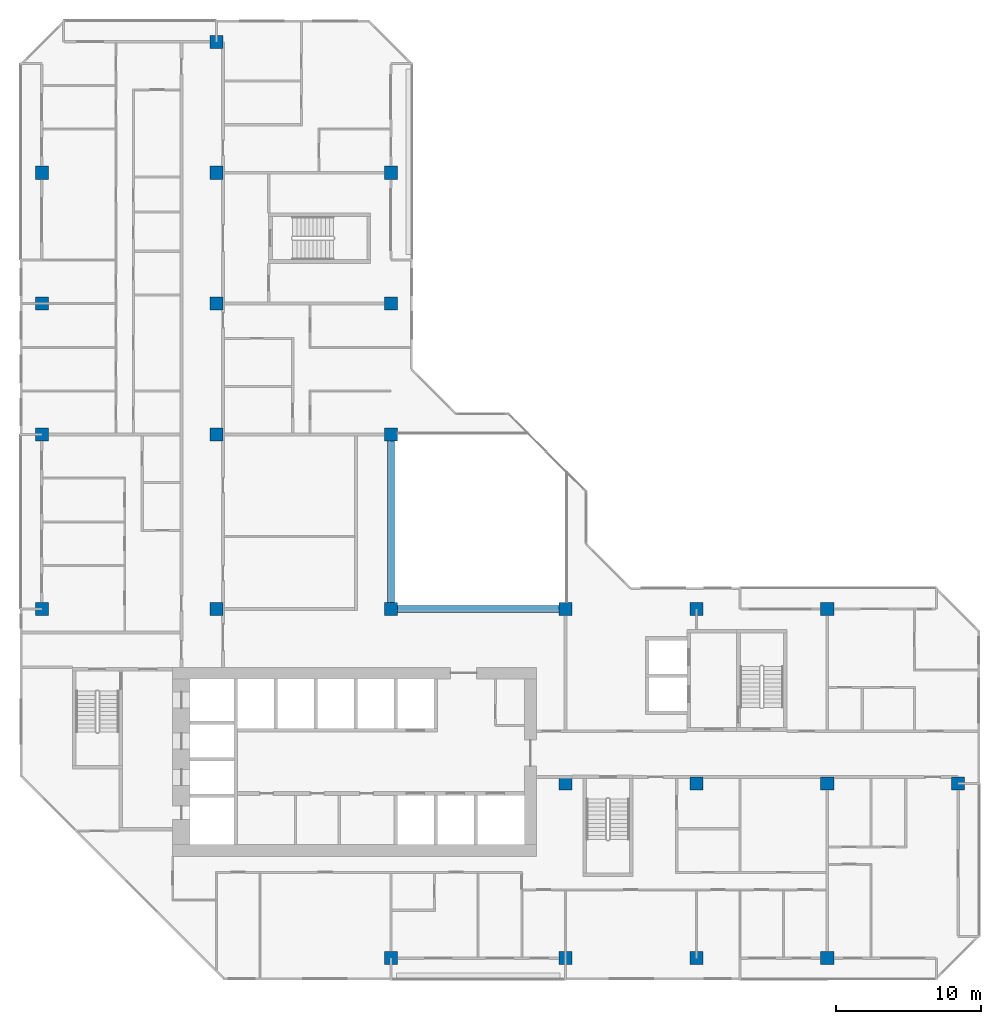
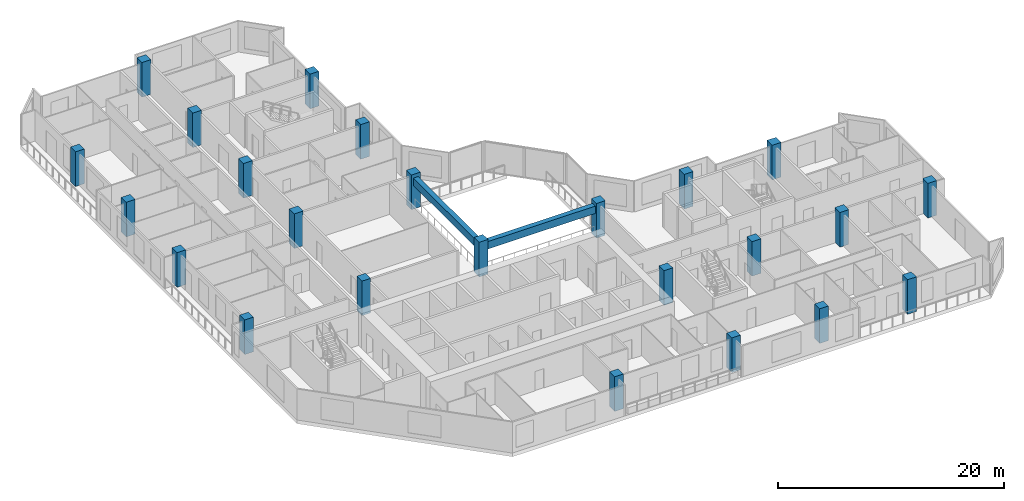
# One storey, part 1 of 14: 24 columns, 2 beams.
"""IFC4 building model written with IfcOpenShell, lengths in metres."""

from ifc_helpers import new_model, si_unit, direction, frame, origin, origin_2d, place, context, subcontext, project, spatial, rectangle, extrude, material, material_profile, profile_set, type_object, element, save


model = new_model("IFC4")

# Units and contexts
model_context = context("Model", 3, precision=1e-05, world=origin(), true_north=direction((0.0, 1.0)))
body_context = subcontext(model_context, "Body", "Model", "MODEL_VIEW")
ifc_project = project(units=[si_unit("LENGTHUNIT", "METRE"), si_unit("AREAUNIT", "SQUARE_METRE"), si_unit("VOLUMEUNIT", "CUBIC_METRE"), si_unit("PLANEANGLEUNIT", "RADIAN"), si_unit("MASSUNIT", "GRAM", prefix="KILO")], contexts=[model_context])

# Site, building, storey
site_placement = place(None, origin())
site = spatial("IfcSite", under=ifc_project, at=site_placement, CompositionType="ELEMENT")
building_placement = place(site_placement, origin())
building = spatial("IfcBuilding", under=site, at=building_placement, Name="Chenar Terraces", CompositionType="ELEMENT")
storey_placement = place(building_placement, frame((0.0, 0.0, 161.14990234375)))
storey = spatial("IfcBuildingStorey", under=building, at=storey_placement, Name="L36", CompositionType="ELEMENT", Elevation=161.14990234375)

# Columns
ifc_material_1 = material(Name="Concrete C60/75", Category="concrete")
ifc_material_profile_1 = material_profile(ifc_material_1, rectangle(XDim=0.89990234375, YDim=0.89990234375, at=origin_2d()), Name="C 900 x 900")
ifc_profile_set_1 = profile_set([ifc_material_profile_1], Name="Concrete C60/75")
column_type = type_object("IfcColumnType", Name="Column C 900 x 900 Concrete C60/75", PredefinedType="COLUMN", material=ifc_profile_set_1)
column_1_placement = place(storey_placement, frame((0.0, 24.0, 0.0), z_axis=(0.0, 0.0, 1.0), x_axis=(1.0, 0.0, 0.0)))
element("IfcColumn", 1, at=column_1_placement, inside=storey, type_object=column_type, Name="Column 5/G L36", PredefinedType="COLUMN", context=body_context, shape_type="SweptSolid", body=[
    extrude(rectangle(XDim=0.89990234375, YDim=0.89990234375, at=origin_2d()), origin(), (0.0, 0.0, 1.0), 3.75),
])
column_2_placement = place(storey_placement, frame((0.0, 36.0, 0.0), z_axis=(0.0, 0.0, 1.0), x_axis=(1.0, 0.0, 0.0)))
element("IfcColumn", 2, at=column_2_placement, inside=storey, type_object=column_type, Name="Column 5/H L36", PredefinedType="COLUMN", context=body_context, shape_type="SweptSolid", body=[
    extrude(rectangle(XDim=0.89990234375, YDim=0.89990234375, at=origin_2d()), origin(), (0.0, 0.0, 1.0), 3.75),
])
for number, where, z_axis, x_axis, name in (
    (3, (0.0, 45.0, 0.0), (0.0, 0.0, 1.0), (1.0, 0.0, 0.0), "Column 5/J L36"),
    (4, (0.0, 54.0, 0.0), (0.0, 0.0, 1.0), (1.0, 0.0, 0.0), "Column 5/K L36"),
    (5, (12.0, 24.0, 0.0), (0.0, 0.0, 1.0), (1.0, 0.0, 0.0), "Column 6/G L36"),
    (6, (12.0, 36.0, 0.0), (0.0, 0.0, 1.0), (1.0, 0.0, 0.0), "Column 6/H L36"),
    (7, (12.0, 45.0, 0.0), (0.0, 0.0, 1.0), (1.0, 0.0, 0.0), "Column 6/J L36"),
    (8, (12.0, 54.0, 0.0), (0.0, 0.0, 1.0), (1.0, 0.0, 0.0), "Column 6/K L36"),
    (9, (12.0, 63.0, 0.0), (0.0, 0.0, 1.0), (1.0, 0.0, 0.0), "Column 6/L L36"),
    (10, (24.0, 0.0, 0.0), (0.0, 0.0, 1.0), (1.0, 0.0, 0.0), "Column 7/E L36"),
    (11, (24.0, 24.0, 0.0), (0.0, 0.0, 1.0), (1.0, 0.0, 0.0), "Column 7/G L36"),
    (12, (24.0, 36.0, 0.0), (0.0, 0.0, 1.0), (1.0, 0.0, 0.0), "Column 7/H L36"),
    (13, (24.0, 45.0, 0.0), (0.0, 0.0, 1.0), (1.0, 0.0, 0.0), "Column 7/J L36"),
    (14, (24.0, 54.0, 0.0), (0.0, 0.0, 1.0), (1.0, 0.0, 0.0), "Column 7/K L36"),
    (15, (36.0, 0.0, 0.0), (0.0, 0.0, 1.0), (1.0, 0.0, 0.0), "Column 8/E L36"),
    (16, (36.0, 12.0, 0.0), (0.0, 0.0, 1.0), (1.0, 0.0, 0.0), "Column 8/F L36"),
    (17, (36.0, 24.0, 0.0), (0.0, 0.0, 1.0), (1.0, 0.0, 0.0), "Column 8/G L36"),
    (18, (45.0, 0.0, 0.0), (0.0, 0.0, 1.0), (1.0, 0.0, 0.0), "Column 9/E L36"),
    (19, (45.0, 12.0, 0.0), (0.0, 0.0, 1.0), (1.0, 0.0, 0.0), "Column 9/F L36"),
    (20, (45.0, 24.0, 0.0), (0.0, 0.0, 1.0), (1.0, 0.0, 0.0), "Column 9/G L36"),
    (21, (54.0, 0.0, 0.0), (0.0, 0.0, 1.0), (1.0, 0.0, 0.0), "Column 10/E L36"),
    (22, (54.0, 12.0, 0.0), (0.0, 0.0, 1.0), (1.0, 0.0, 0.0), "Column 10/F L36"),
    (23, (54.0, 24.0, 0.0), (0.0, 0.0, 1.0), (1.0, 0.0, 0.0), "Column 10/G L36"),
    (24, (63.0, 12.0, 0.0), (0.0, 0.0, 1.0), (1.0, 0.0, 0.0), "Column 11/F L36"),
):
    element("IfcColumn", number, at=place(storey_placement, frame(where, z_axis=z_axis, x_axis=x_axis)), inside=storey, type_object=column_type, Name=name, PredefinedType="COLUMN", context=body_context, shape_type="SweptSolid", body=[
        extrude(rectangle(XDim=0.89990234375, YDim=0.89990234375, at=origin_2d()), origin(), (0.0, 0.0, 1.0), 3.75),
    ])

# Beams
ifc_material_2 = material(Name="Concrete C40/50", Category="concrete")
ifc_material_profile_2 = material_profile(ifc_material_2, rectangle(XDim=0.5, YDim=0.800048828125, at=origin_2d()), Name="RC 500 x 800")
ifc_profile_set_2 = profile_set([ifc_material_profile_2], Name="Concrete C40/50")
beam_type = type_object("IfcBeamType", Name="Atrium edge beam 500 x 800 Concrete C40/50", PredefinedType="BEAM", material=ifc_profile_set_2)
for number, where, z_axis, x_axis, name in (
    (25, (24.449951171875, 24.0, 2.9501953125), (1.0, 0.0, 0.0), (0.0, 1.0, 0.0), "Atrium edge beam L37 1"),
    (26, (24.0, 35.550048828125, 2.9501953125), (0.0, -1.0, 0.0), (1.0, 0.0, 0.0), "Atrium edge beam L37 4"),
):
    element("IfcBeam", number, at=place(storey_placement, frame(where, z_axis=z_axis, x_axis=x_axis)), inside=storey, type_object=beam_type, Name=name, PredefinedType="BEAM", context=body_context, shape_type="SweptSolid", body=[
        extrude(rectangle(XDim=0.5, YDim=0.800048828125, at=origin_2d()), origin(), (0.0, 0.0, 1.0), 11.10009765625),
    ])

save(model, "model.ifc")
